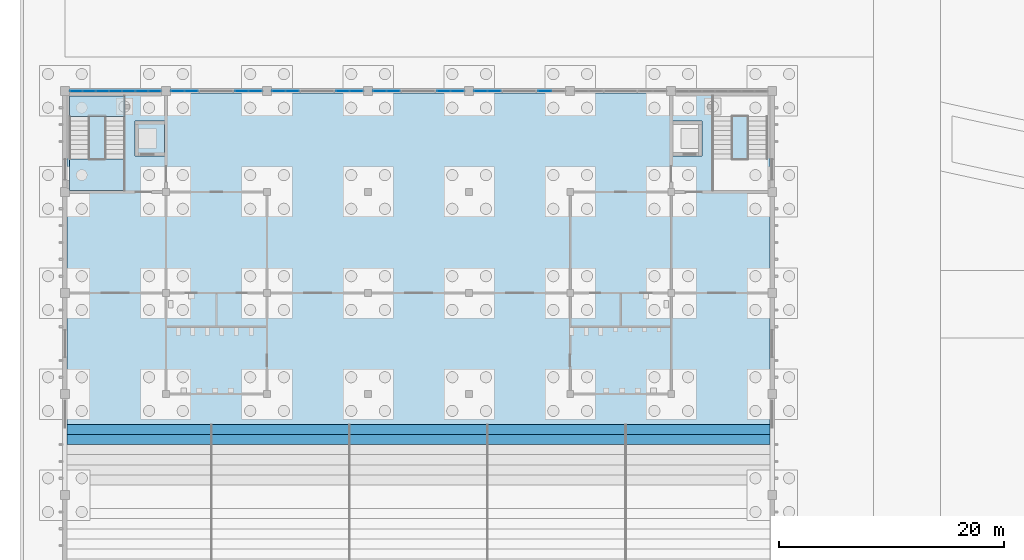
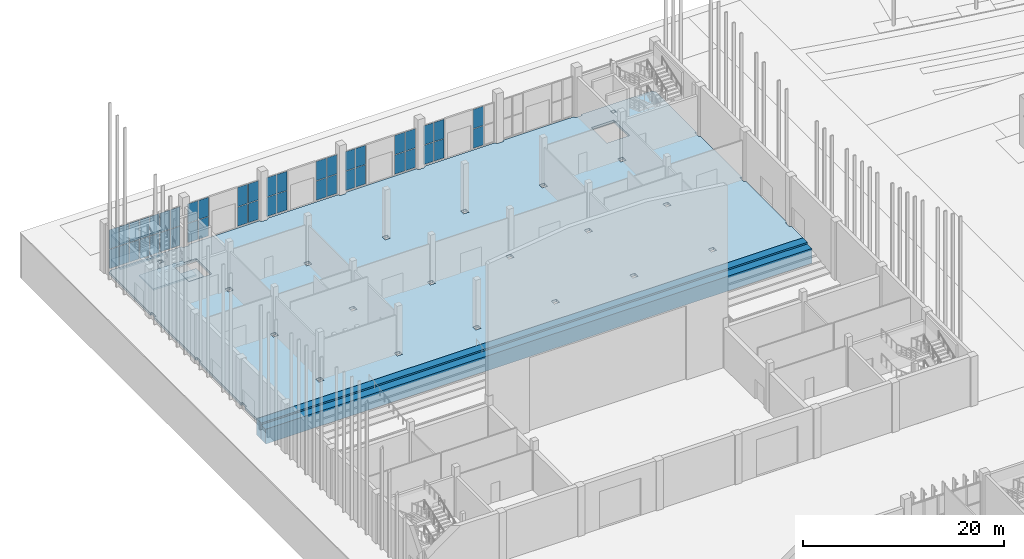
# One storey, part 69 of 198: 44 plates, 7 slabs, 10 elements without a shape of their own.
"""IFC4 building model written with IfcOpenShell, lengths in metres."""

from ifc_helpers import new_model, si_unit, direction, frame, origin, origin_2d, place, context, subcontext, project, spatial, polyline, rectangle, outline, extrude, material, layer, layer_set, type_object, element, aggregate, save


model = new_model("IFC4")

# Units and contexts
model_context = context("Model", 3, precision=1e-05, world=origin(), true_north=direction((0.0, 1.0)))
body_context = subcontext(model_context, "Body", "Model", "MODEL_VIEW")
ifc_project = project(units=[si_unit("LENGTHUNIT", "METRE"), si_unit("AREAUNIT", "SQUARE_METRE"), si_unit("VOLUMEUNIT", "CUBIC_METRE"), si_unit("PLANEANGLEUNIT", "RADIAN"), si_unit("MASSUNIT", "GRAM", prefix="KILO")], contexts=[model_context])

# Site, building, storey
site_placement = place(None, origin())
site = spatial("IfcSite", under=ifc_project, at=site_placement, CompositionType="ELEMENT")
building_placement = place(site_placement, origin())
building = spatial("IfcBuilding", under=site, at=building_placement, Name="Opaline Strait Convention Centre", CompositionType="ELEMENT")
storey_placement = place(building_placement, origin())
storey = spatial("IfcBuildingStorey", under=building, at=storey_placement, Name="L00", CompositionType="ELEMENT", Elevation=0.0)

# Curtain wall, plates
ifc_material_1 = material(Name="Aluminium framed double glazing", Category="aluminium")
ifc_layer_1 = layer(ifc_material_1, 0.199951171875)
ifc_layer_set_1 = layer_set([ifc_layer_1], Name="Aluminium framed double glazing")
curtain_wall_type = type_object("IfcCurtainWallType", Name="Curtain wall 1250", PredefinedType="NOTDEFINED", material=ifc_layer_set_1)
curtain_wall_1_placement = place(storey_placement, origin())
curtain_wall_1 = element("IfcCurtainWall", 1, at=curtain_wall_1_placement, inside=storey, type_object=curtain_wall_type, Name="Curtain wall N-9-L00", PredefinedType="NOTDEFINED")
ifc_material_2 = material(Name="Double glazed unit low emissivity", Category="glass")
ifc_layer_2 = layer(ifc_material_2, 0.028076171875)
ifc_layer_set_2 = layer_set([ifc_layer_2], Name="Double glazed unit low emissivity")
plate_type = type_object("IfcPlateType", Name="Curtain wall glass panel 28", PredefinedType="CURTAIN_PANEL", material=ifc_layer_set_2)
plate_1_placement = place(storey_placement, frame((10.000732421875, 180.0, 0.06005859375), z_axis=(0.0, 0.0, 1.0), x_axis=(1.0, 0.0, 0.0)))
plate_1 = element("IfcPlate", 2, at=plate_1_placement, type_object=plate_type, Name="PCW panel 1.1", PredefinedType="CURTAIN_PANEL", context=body_context, shape_type="SweptSolid", body=[
    extrude(rectangle(XDim=1.08154296875, YDim=0.028076171875, at=origin_2d()), origin(), (0.0, 0.0, 1.0), 2.320068359375),
])
plate_2_placement = place(storey_placement, frame((10.000732421875, 180.0, 2.43994140625), z_axis=(0.0, 0.0, 1.0), x_axis=(1.0, 0.0, 0.0)))
plate_2 = element("IfcPlate", 3, at=plate_2_placement, type_object=plate_type, Name="PCW panel 1.2", PredefinedType="CURTAIN_PANEL", context=body_context, shape_type="SweptSolid", body=[
    extrude(rectangle(XDim=1.08154296875, YDim=0.028076171875, at=origin_2d()), origin(), (0.0, 0.0, 1.0), 2.320068359375),
])
plate_3_placement = place(storey_placement, frame((11.156982421875, 180.0, 0.06005859375), z_axis=(0.0, 0.0, 1.0), x_axis=(1.0, 0.0, 0.0)))
plate_3 = element("IfcPlate", 4, at=plate_3_placement, type_object=plate_type, Name="PCW panel 2.1", PredefinedType="CURTAIN_PANEL", context=body_context, shape_type="SweptSolid", body=[
    extrude(rectangle(XDim=1.111572265625, YDim=0.028076171875, at=origin_2d()), origin(), (0.0, 0.0, 1.0), 2.320068359375),
])
plate_4_placement = place(storey_placement, frame((11.156982421875, 180.0, 2.43994140625), z_axis=(0.0, 0.0, 1.0), x_axis=(1.0, 0.0, 0.0)))
plate_4 = element("IfcPlate", 5, at=plate_4_placement, type_object=plate_type, Name="PCW panel 2.2", PredefinedType="CURTAIN_PANEL", context=body_context, shape_type="SweptSolid", body=[
    extrude(rectangle(XDim=1.111572265625, YDim=0.028076171875, at=origin_2d()), origin(), (0.0, 0.0, 1.0), 2.320068359375),
])
plate_5_placement = place(storey_placement, frame((12.32861328125, 180.0, 0.06005859375), z_axis=(0.0, 0.0, 1.0), x_axis=(1.0, 0.0, 0.0)))
plate_5 = element("IfcPlate", 6, at=plate_5_placement, type_object=plate_type, Name="PCW panel 3.1", PredefinedType="CURTAIN_PANEL", context=body_context, shape_type="SweptSolid", body=[
    extrude(rectangle(XDim=1.111572265625, YDim=0.028076171875, at=origin_2d()), origin(), (0.0, 0.0, 1.0), 2.320068359375),
])
plate_6_placement = place(storey_placement, frame((12.32861328125, 180.0, 2.43994140625), z_axis=(0.0, 0.0, 1.0), x_axis=(1.0, 0.0, 0.0)))
plate_6 = element("IfcPlate", 7, at=plate_6_placement, type_object=plate_type, Name="PCW panel 3.2", PredefinedType="CURTAIN_PANEL", context=body_context, shape_type="SweptSolid", body=[
    extrude(rectangle(XDim=1.111572265625, YDim=0.028076171875, at=origin_2d()), origin(), (0.0, 0.0, 1.0), 2.320068359375),
])
plate_7_placement = place(storey_placement, frame((13.5, 180.0, 0.06005859375), z_axis=(0.0, 0.0, 1.0), x_axis=(1.0, 0.0, 0.0)))
plate_7 = element("IfcPlate", 8, at=plate_7_placement, type_object=plate_type, Name="PCW panel 4.1", PredefinedType="CURTAIN_PANEL", context=body_context, shape_type="SweptSolid", body=[
    extrude(rectangle(XDim=1.111572265625, YDim=0.028076171875, at=origin_2d()), origin(), (0.0, 0.0, 1.0), 2.320068359375),
])
plate_8_placement = place(storey_placement, frame((13.5, 180.0, 2.43994140625), z_axis=(0.0, 0.0, 1.0), x_axis=(1.0, 0.0, 0.0)))
plate_8 = element("IfcPlate", 9, at=plate_8_placement, type_object=plate_type, Name="PCW panel 4.2", PredefinedType="CURTAIN_PANEL", context=body_context, shape_type="SweptSolid", body=[
    extrude(rectangle(XDim=1.111572265625, YDim=0.028076171875, at=origin_2d()), origin(), (0.0, 0.0, 1.0), 2.320068359375),
])
plate_9_placement = place(storey_placement, frame((14.67138671875, 180.0, 0.06005859375), z_axis=(0.0, 0.0, 1.0), x_axis=(1.0, 0.0, 0.0)))
plate_9 = element("IfcPlate", 10, at=plate_9_placement, type_object=plate_type, Name="PCW panel 5.1", PredefinedType="CURTAIN_PANEL", context=body_context, shape_type="SweptSolid", body=[
    extrude(rectangle(XDim=1.111572265625, YDim=0.028076171875, at=origin_2d()), origin(), (0.0, 0.0, 1.0), 2.320068359375),
])
plate_10_placement = place(storey_placement, frame((14.67138671875, 180.0, 2.43994140625), z_axis=(0.0, 0.0, 1.0), x_axis=(1.0, 0.0, 0.0)))
plate_10 = element("IfcPlate", 11, at=plate_10_placement, type_object=plate_type, Name="PCW panel 5.2", PredefinedType="CURTAIN_PANEL", context=body_context, shape_type="SweptSolid", body=[
    extrude(rectangle(XDim=1.111572265625, YDim=0.028076171875, at=origin_2d()), origin(), (0.0, 0.0, 1.0), 2.320068359375),
])
plate_11_placement = place(storey_placement, frame((15.843017578125, 180.0, 0.06005859375), z_axis=(0.0, 0.0, 1.0), x_axis=(1.0, 0.0, 0.0)))
plate_11 = element("IfcPlate", 12, at=plate_11_placement, type_object=plate_type, Name="PCW panel 6.1", PredefinedType="CURTAIN_PANEL", context=body_context, shape_type="SweptSolid", body=[
    extrude(rectangle(XDim=1.111572265625, YDim=0.028076171875, at=origin_2d()), origin(), (0.0, 0.0, 1.0), 2.320068359375),
])
plate_12_placement = place(storey_placement, frame((15.843017578125, 180.0, 2.43994140625), z_axis=(0.0, 0.0, 1.0), x_axis=(1.0, 0.0, 0.0)))
plate_12 = element("IfcPlate", 13, at=plate_12_placement, type_object=plate_type, Name="PCW panel 6.2", PredefinedType="CURTAIN_PANEL", context=body_context, shape_type="SweptSolid", body=[
    extrude(rectangle(XDim=1.111572265625, YDim=0.028076171875, at=origin_2d()), origin(), (0.0, 0.0, 1.0), 2.320068359375),
])
plate_13_placement = place(storey_placement, frame((16.999267578125, 180.0, 0.06005859375), z_axis=(0.0, 0.0, 1.0), x_axis=(1.0, 0.0, 0.0)))
plate_13 = element("IfcPlate", 14, at=plate_13_placement, type_object=plate_type, Name="PCW panel 7.1", PredefinedType="CURTAIN_PANEL", context=body_context, shape_type="SweptSolid", body=[
    extrude(rectangle(XDim=1.08154296875, YDim=0.028076171875, at=origin_2d()), origin(), (0.0, 0.0, 1.0), 2.320068359375),
])
plate_14_placement = place(storey_placement, frame((16.999267578125, 180.0, 2.43994140625), z_axis=(0.0, 0.0, 1.0), x_axis=(1.0, 0.0, 0.0)))
plate_14 = element("IfcPlate", 15, at=plate_14_placement, type_object=plate_type, Name="PCW panel 7.2", PredefinedType="CURTAIN_PANEL", context=body_context, shape_type="SweptSolid", body=[
    extrude(rectangle(XDim=1.08154296875, YDim=0.028076171875, at=origin_2d()), origin(), (0.0, 0.0, 1.0), 2.320068359375),
])
aggregate(curtain_wall_1, [plate_1, plate_2, plate_3, plate_4, plate_5, plate_6, plate_7, plate_8, plate_9, plate_10, plate_11, plate_12, plate_13, plate_14])

curtain_wall_2_placement = place(storey_placement, origin())
curtain_wall_2 = element("IfcCurtainWall", 16, at=curtain_wall_2_placement, inside=storey, type_object=curtain_wall_type, Name="Curtain wall N-18a-L00", PredefinedType="NOTDEFINED")
plate_15_placement = place(storey_placement, frame((19.039794921875, 180.0, 0.06005859375), z_axis=(0.0, 0.0, 1.0), x_axis=(1.0, 0.0, 0.0)))
plate_15 = element("IfcPlate", 17, at=plate_15_placement, type_object=plate_type, Name="PCW panel 1.1", PredefinedType="CURTAIN_PANEL", context=body_context, shape_type="SweptSolid", body=[
    extrude(rectangle(XDim=1.159912109375, YDim=0.028076171875, at=origin_2d()), origin(), (0.0, 0.0, 1.0), 2.320068359375),
])
plate_16_placement = place(storey_placement, frame((19.039794921875, 180.0, 2.43994140625), z_axis=(0.0, 0.0, 1.0), x_axis=(1.0, 0.0, 0.0)))
plate_16 = element("IfcPlate", 18, at=plate_16_placement, type_object=plate_type, Name="PCW panel 1.2", PredefinedType="CURTAIN_PANEL", context=body_context, shape_type="SweptSolid", body=[
    extrude(rectangle(XDim=1.159912109375, YDim=0.028076171875, at=origin_2d()), origin(), (0.0, 0.0, 1.0), 2.320068359375),
])
plate_17_placement = place(storey_placement, frame((20.260009765625, 180.0, 0.06005859375), z_axis=(0.0, 0.0, 1.0), x_axis=(1.0, 0.0, 0.0)))
plate_17 = element("IfcPlate", 19, at=plate_17_placement, type_object=plate_type, Name="PCW panel 2.1", PredefinedType="CURTAIN_PANEL", context=body_context, shape_type="SweptSolid", body=[
    extrude(rectangle(XDim=1.159912109375, YDim=0.028076171875, at=origin_2d()), origin(), (0.0, 0.0, 1.0), 2.320068359375),
])
plate_18_placement = place(storey_placement, frame((20.260009765625, 180.0, 2.43994140625), z_axis=(0.0, 0.0, 1.0), x_axis=(1.0, 0.0, 0.0)))
plate_18 = element("IfcPlate", 20, at=plate_18_placement, type_object=plate_type, Name="PCW panel 2.2", PredefinedType="CURTAIN_PANEL", context=body_context, shape_type="SweptSolid", body=[
    extrude(rectangle(XDim=1.159912109375, YDim=0.028076171875, at=origin_2d()), origin(), (0.0, 0.0, 1.0), 2.320068359375),
])
aggregate(curtain_wall_2, [plate_15, plate_16, plate_17, plate_18])

curtain_wall_3_placement = place(storey_placement, origin())
curtain_wall_3 = element("IfcCurtainWall", 21, at=curtain_wall_3_placement, inside=storey, type_object=curtain_wall_type, Name="Curtain wall N-18b-L00", PredefinedType="NOTDEFINED")
plate_19_placement = place(storey_placement, frame((24.739990234375, 180.0, 0.06005859375), z_axis=(0.0, 0.0, 1.0), x_axis=(1.0, 0.0, 0.0)))
plate_19 = element("IfcPlate", 22, at=plate_19_placement, type_object=plate_type, Name="PCW panel 1.1", PredefinedType="CURTAIN_PANEL", context=body_context, shape_type="SweptSolid", body=[
    extrude(rectangle(XDim=1.159912109375, YDim=0.028076171875, at=origin_2d()), origin(), (0.0, 0.0, 1.0), 2.320068359375),
])
plate_20_placement = place(storey_placement, frame((24.739990234375, 180.0, 2.43994140625), z_axis=(0.0, 0.0, 1.0), x_axis=(1.0, 0.0, 0.0)))
plate_20 = element("IfcPlate", 23, at=plate_20_placement, type_object=plate_type, Name="PCW panel 1.2", PredefinedType="CURTAIN_PANEL", context=body_context, shape_type="SweptSolid", body=[
    extrude(rectangle(XDim=1.159912109375, YDim=0.028076171875, at=origin_2d()), origin(), (0.0, 0.0, 1.0), 2.320068359375),
])
plate_21_placement = place(storey_placement, frame((25.960205078125, 180.0, 0.06005859375), z_axis=(0.0, 0.0, 1.0), x_axis=(1.0, 0.0, 0.0)))
plate_21 = element("IfcPlate", 24, at=plate_21_placement, type_object=plate_type, Name="PCW panel 2.1", PredefinedType="CURTAIN_PANEL", context=body_context, shape_type="SweptSolid", body=[
    extrude(rectangle(XDim=1.159912109375, YDim=0.028076171875, at=origin_2d()), origin(), (0.0, 0.0, 1.0), 2.320068359375),
])
plate_22_placement = place(storey_placement, frame((25.960205078125, 180.0, 2.43994140625), z_axis=(0.0, 0.0, 1.0), x_axis=(1.0, 0.0, 0.0)))
plate_22 = element("IfcPlate", 25, at=plate_22_placement, type_object=plate_type, Name="PCW panel 2.2", PredefinedType="CURTAIN_PANEL", context=body_context, shape_type="SweptSolid", body=[
    extrude(rectangle(XDim=1.159912109375, YDim=0.028076171875, at=origin_2d()), origin(), (0.0, 0.0, 1.0), 2.320068359375),
])
aggregate(curtain_wall_3, [plate_19, plate_20, plate_21, plate_22])

curtain_wall_4_placement = place(storey_placement, origin())
curtain_wall_4 = element("IfcCurtainWall", 26, at=curtain_wall_4_placement, inside=storey, type_object=curtain_wall_type, Name="Curtain wall N-27a-L00", PredefinedType="NOTDEFINED")
plate_23_placement = place(storey_placement, frame((28.039794921875, 180.0, 0.06005859375), z_axis=(0.0, 0.0, 1.0), x_axis=(1.0, 0.0, 0.0)))
plate_23 = element("IfcPlate", 27, at=plate_23_placement, type_object=plate_type, Name="PCW panel 1.1", PredefinedType="CURTAIN_PANEL", context=body_context, shape_type="SweptSolid", body=[
    extrude(rectangle(XDim=1.159912109375, YDim=0.028076171875, at=origin_2d()), origin(), (0.0, 0.0, 1.0), 2.320068359375),
])
plate_24_placement = place(storey_placement, frame((28.039794921875, 180.0, 2.43994140625), z_axis=(0.0, 0.0, 1.0), x_axis=(1.0, 0.0, 0.0)))
plate_24 = element("IfcPlate", 28, at=plate_24_placement, type_object=plate_type, Name="PCW panel 1.2", PredefinedType="CURTAIN_PANEL", context=body_context, shape_type="SweptSolid", body=[
    extrude(rectangle(XDim=1.159912109375, YDim=0.028076171875, at=origin_2d()), origin(), (0.0, 0.0, 1.0), 2.320068359375),
])
plate_25_placement = place(storey_placement, frame((29.260009765625, 180.0, 0.06005859375), z_axis=(0.0, 0.0, 1.0), x_axis=(1.0, 0.0, 0.0)))
plate_25 = element("IfcPlate", 29, at=plate_25_placement, type_object=plate_type, Name="PCW panel 2.1", PredefinedType="CURTAIN_PANEL", context=body_context, shape_type="SweptSolid", body=[
    extrude(rectangle(XDim=1.159912109375, YDim=0.028076171875, at=origin_2d()), origin(), (0.0, 0.0, 1.0), 2.320068359375),
])
plate_26_placement = place(storey_placement, frame((29.260009765625, 180.0, 2.43994140625), z_axis=(0.0, 0.0, 1.0), x_axis=(1.0, 0.0, 0.0)))
plate_26 = element("IfcPlate", 30, at=plate_26_placement, type_object=plate_type, Name="PCW panel 2.2", PredefinedType="CURTAIN_PANEL", context=body_context, shape_type="SweptSolid", body=[
    extrude(rectangle(XDim=1.159912109375, YDim=0.028076171875, at=origin_2d()), origin(), (0.0, 0.0, 1.0), 2.320068359375),
])
aggregate(curtain_wall_4, [plate_23, plate_24, plate_25, plate_26])

curtain_wall_5_placement = place(storey_placement, origin())
curtain_wall_5 = element("IfcCurtainWall", 31, at=curtain_wall_5_placement, inside=storey, type_object=curtain_wall_type, Name="Curtain wall N-27b-L00", PredefinedType="NOTDEFINED")
plate_27_placement = place(storey_placement, frame((33.739990234375, 180.0, 0.06005859375), z_axis=(0.0, 0.0, 1.0), x_axis=(1.0, 0.0, 0.0)))
plate_27 = element("IfcPlate", 32, at=plate_27_placement, type_object=plate_type, Name="PCW panel 1.1", PredefinedType="CURTAIN_PANEL", context=body_context, shape_type="SweptSolid", body=[
    extrude(rectangle(XDim=1.159912109375, YDim=0.028076171875, at=origin_2d()), origin(), (0.0, 0.0, 1.0), 2.320068359375),
])
plate_28_placement = place(storey_placement, frame((33.739990234375, 180.0, 2.43994140625), z_axis=(0.0, 0.0, 1.0), x_axis=(1.0, 0.0, 0.0)))
plate_28 = element("IfcPlate", 33, at=plate_28_placement, type_object=plate_type, Name="PCW panel 1.2", PredefinedType="CURTAIN_PANEL", context=body_context, shape_type="SweptSolid", body=[
    extrude(rectangle(XDim=1.159912109375, YDim=0.028076171875, at=origin_2d()), origin(), (0.0, 0.0, 1.0), 2.320068359375),
])
plate_29_placement = place(storey_placement, frame((34.960205078125, 180.0, 0.06005859375), z_axis=(0.0, 0.0, 1.0), x_axis=(1.0, 0.0, 0.0)))
plate_29 = element("IfcPlate", 34, at=plate_29_placement, type_object=plate_type, Name="PCW panel 2.1", PredefinedType="CURTAIN_PANEL", context=body_context, shape_type="SweptSolid", body=[
    extrude(rectangle(XDim=1.159912109375, YDim=0.028076171875, at=origin_2d()), origin(), (0.0, 0.0, 1.0), 2.320068359375),
])
plate_30_placement = place(storey_placement, frame((34.960205078125, 180.0, 2.43994140625), z_axis=(0.0, 0.0, 1.0), x_axis=(1.0, 0.0, 0.0)))
plate_30 = element("IfcPlate", 35, at=plate_30_placement, type_object=plate_type, Name="PCW panel 2.2", PredefinedType="CURTAIN_PANEL", context=body_context, shape_type="SweptSolid", body=[
    extrude(rectangle(XDim=1.159912109375, YDim=0.028076171875, at=origin_2d()), origin(), (0.0, 0.0, 1.0), 2.320068359375),
])
aggregate(curtain_wall_5, [plate_27, plate_28, plate_29, plate_30])

curtain_wall_6_placement = place(storey_placement, origin())
curtain_wall_6 = element("IfcCurtainWall", 36, at=curtain_wall_6_placement, inside=storey, type_object=curtain_wall_type, Name="Curtain wall N-36a-L00", PredefinedType="NOTDEFINED")
plate_31_placement = place(storey_placement, frame((37.039794921875, 180.0, 0.06005859375), z_axis=(0.0, 0.0, 1.0), x_axis=(1.0, 0.0, 0.0)))
plate_31 = element("IfcPlate", 37, at=plate_31_placement, type_object=plate_type, Name="PCW panel 1.1", PredefinedType="CURTAIN_PANEL", context=body_context, shape_type="SweptSolid", body=[
    extrude(rectangle(XDim=1.159912109375, YDim=0.028076171875, at=origin_2d()), origin(), (0.0, 0.0, 1.0), 2.320068359375),
])
plate_32_placement = place(storey_placement, frame((37.039794921875, 180.0, 2.43994140625), z_axis=(0.0, 0.0, 1.0), x_axis=(1.0, 0.0, 0.0)))
plate_32 = element("IfcPlate", 38, at=plate_32_placement, type_object=plate_type, Name="PCW panel 1.2", PredefinedType="CURTAIN_PANEL", context=body_context, shape_type="SweptSolid", body=[
    extrude(rectangle(XDim=1.159912109375, YDim=0.028076171875, at=origin_2d()), origin(), (0.0, 0.0, 1.0), 2.320068359375),
])
plate_33_placement = place(storey_placement, frame((38.260009765625, 180.0, 0.06005859375), z_axis=(0.0, 0.0, 1.0), x_axis=(1.0, 0.0, 0.0)))
plate_33 = element("IfcPlate", 39, at=plate_33_placement, type_object=plate_type, Name="PCW panel 2.1", PredefinedType="CURTAIN_PANEL", context=body_context, shape_type="SweptSolid", body=[
    extrude(rectangle(XDim=1.159912109375, YDim=0.028076171875, at=origin_2d()), origin(), (0.0, 0.0, 1.0), 2.320068359375),
])
plate_34_placement = place(storey_placement, frame((38.260009765625, 180.0, 2.43994140625), z_axis=(0.0, 0.0, 1.0), x_axis=(1.0, 0.0, 0.0)))
plate_34 = element("IfcPlate", 40, at=plate_34_placement, type_object=plate_type, Name="PCW panel 2.2", PredefinedType="CURTAIN_PANEL", context=body_context, shape_type="SweptSolid", body=[
    extrude(rectangle(XDim=1.159912109375, YDim=0.028076171875, at=origin_2d()), origin(), (0.0, 0.0, 1.0), 2.320068359375),
])
aggregate(curtain_wall_6, [plate_31, plate_32, plate_33, plate_34])

curtain_wall_7_placement = place(storey_placement, origin())
curtain_wall_7 = element("IfcCurtainWall", 41, at=curtain_wall_7_placement, inside=storey, type_object=curtain_wall_type, Name="Curtain wall N-36b-L00", PredefinedType="NOTDEFINED")
plate_35_placement = place(storey_placement, frame((42.739990234375, 180.0, 0.06005859375), z_axis=(0.0, 0.0, 1.0), x_axis=(1.0, 0.0, 0.0)))
plate_35 = element("IfcPlate", 42, at=plate_35_placement, type_object=plate_type, Name="PCW panel 1.1", PredefinedType="CURTAIN_PANEL", context=body_context, shape_type="SweptSolid", body=[
    extrude(rectangle(XDim=1.159912109375, YDim=0.028076171875, at=origin_2d()), origin(), (0.0, 0.0, 1.0), 2.320068359375),
])
plate_36_placement = place(storey_placement, frame((42.739990234375, 180.0, 2.43994140625), z_axis=(0.0, 0.0, 1.0), x_axis=(1.0, 0.0, 0.0)))
plate_36 = element("IfcPlate", 43, at=plate_36_placement, type_object=plate_type, Name="PCW panel 1.2", PredefinedType="CURTAIN_PANEL", context=body_context, shape_type="SweptSolid", body=[
    extrude(rectangle(XDim=1.159912109375, YDim=0.028076171875, at=origin_2d()), origin(), (0.0, 0.0, 1.0), 2.320068359375),
])
plate_37_placement = place(storey_placement, frame((43.960205078125, 180.0, 0.06005859375), z_axis=(0.0, 0.0, 1.0), x_axis=(1.0, 0.0, 0.0)))
plate_37 = element("IfcPlate", 44, at=plate_37_placement, type_object=plate_type, Name="PCW panel 2.1", PredefinedType="CURTAIN_PANEL", context=body_context, shape_type="SweptSolid", body=[
    extrude(rectangle(XDim=1.159912109375, YDim=0.028076171875, at=origin_2d()), origin(), (0.0, 0.0, 1.0), 2.320068359375),
])
plate_38_placement = place(storey_placement, frame((43.960205078125, 180.0, 2.43994140625), z_axis=(0.0, 0.0, 1.0), x_axis=(1.0, 0.0, 0.0)))
plate_38 = element("IfcPlate", 45, at=plate_38_placement, type_object=plate_type, Name="PCW panel 2.2", PredefinedType="CURTAIN_PANEL", context=body_context, shape_type="SweptSolid", body=[
    extrude(rectangle(XDim=1.159912109375, YDim=0.028076171875, at=origin_2d()), origin(), (0.0, 0.0, 1.0), 2.320068359375),
])
aggregate(curtain_wall_7, [plate_35, plate_36, plate_37, plate_38])

curtain_wall_8_placement = place(storey_placement, origin())
curtain_wall_8 = element("IfcCurtainWall", 46, at=curtain_wall_8_placement, inside=storey, type_object=curtain_wall_type, Name="Curtain wall N-45a-L00", PredefinedType="NOTDEFINED")
plate_39_placement = place(storey_placement, frame((46.039794921875, 180.0, 0.06005859375), z_axis=(0.0, 0.0, 1.0), x_axis=(1.0, 0.0, 0.0)))
plate_39 = element("IfcPlate", 47, at=plate_39_placement, type_object=plate_type, Name="PCW panel 1.1", PredefinedType="CURTAIN_PANEL", context=body_context, shape_type="SweptSolid", body=[
    extrude(rectangle(XDim=1.159912109375, YDim=0.028076171875, at=origin_2d()), origin(), (0.0, 0.0, 1.0), 2.320068359375),
])
plate_40_placement = place(storey_placement, frame((46.039794921875, 180.0, 2.43994140625), z_axis=(0.0, 0.0, 1.0), x_axis=(1.0, 0.0, 0.0)))
plate_40 = element("IfcPlate", 48, at=plate_40_placement, type_object=plate_type, Name="PCW panel 1.2", PredefinedType="CURTAIN_PANEL", context=body_context, shape_type="SweptSolid", body=[
    extrude(rectangle(XDim=1.159912109375, YDim=0.028076171875, at=origin_2d()), origin(), (0.0, 0.0, 1.0), 2.320068359375),
])
plate_41_placement = place(storey_placement, frame((47.260009765625, 180.0, 0.06005859375), z_axis=(0.0, 0.0, 1.0), x_axis=(1.0, 0.0, 0.0)))
plate_41 = element("IfcPlate", 49, at=plate_41_placement, type_object=plate_type, Name="PCW panel 2.1", PredefinedType="CURTAIN_PANEL", context=body_context, shape_type="SweptSolid", body=[
    extrude(rectangle(XDim=1.159912109375, YDim=0.028076171875, at=origin_2d()), origin(), (0.0, 0.0, 1.0), 2.320068359375),
])
plate_42_placement = place(storey_placement, frame((47.260009765625, 180.0, 2.43994140625), z_axis=(0.0, 0.0, 1.0), x_axis=(1.0, 0.0, 0.0)))
plate_42 = element("IfcPlate", 50, at=plate_42_placement, type_object=plate_type, Name="PCW panel 2.2", PredefinedType="CURTAIN_PANEL", context=body_context, shape_type="SweptSolid", body=[
    extrude(rectangle(XDim=1.159912109375, YDim=0.028076171875, at=origin_2d()), origin(), (0.0, 0.0, 1.0), 2.320068359375),
])
aggregate(curtain_wall_8, [plate_39, plate_40, plate_41, plate_42])

curtain_wall_9_placement = place(storey_placement, origin())
curtain_wall_9 = element("IfcCurtainWall", 51, at=curtain_wall_9_placement, inside=storey, type_object=curtain_wall_type, Name="Curtain wall N-45b-L00", PredefinedType="NOTDEFINED")
plate_43_placement = place(storey_placement, frame((51.739990234375, 180.0, 0.06005859375), z_axis=(0.0, 0.0, 1.0), x_axis=(1.0, 0.0, 0.0)))
plate_43 = element("IfcPlate", 52, at=plate_43_placement, type_object=plate_type, Name="PCW panel 1.1", PredefinedType="CURTAIN_PANEL", context=body_context, shape_type="SweptSolid", body=[
    extrude(rectangle(XDim=1.159912109375, YDim=0.028076171875, at=origin_2d()), origin(), (0.0, 0.0, 1.0), 2.320068359375),
])
plate_44_placement = place(storey_placement, frame((51.739990234375, 180.0, 2.43994140625), z_axis=(0.0, 0.0, 1.0), x_axis=(1.0, 0.0, 0.0)))
plate_44 = element("IfcPlate", 53, at=plate_44_placement, type_object=plate_type, Name="PCW panel 1.2", PredefinedType="CURTAIN_PANEL", context=body_context, shape_type="SweptSolid", body=[
    extrude(rectangle(XDim=1.159912109375, YDim=0.028076171875, at=origin_2d()), origin(), (0.0, 0.0, 1.0), 2.320068359375),
])
aggregate(curtain_wall_9, [plate_43, plate_44])

# Slabs
ifc_material_3 = material(Name="Concrete C30", Category="concrete")
ifc_layer_3 = layer(ifc_material_3, 0.300048828125)
ifc_layer_set_3 = layer_set([ifc_layer_3], Name="Concrete C30")
slab_type_1 = type_object("IfcSlabType", Name="Ground slab 300 C30", PredefinedType="BASESLAB", material=ifc_layer_set_3)
slab_1_placement = place(storey_placement, frame((0.0, 0.0, -0.300048828125)))
element("IfcSlab", 54, at=slab_1_placement, inside=storey, type_object=slab_type_1, Name="XS1 ground slab 2", PredefinedType="BASESLAB", context=body_context, shape_type="SweptSolid", body=[
    extrude(outline(polyline([(9.199951171875, 150.300048828125), (9.199951171875, 152.60009765625), (9.39990234375, 152.60009765625), (9.39990234375, 153.39990234375), (9.199951171875, 153.39990234375), (9.199951171875, 161.60009765625), (9.39990234375, 161.60009765625), (9.39990234375, 162.39990234375), (9.199951171875, 162.39990234375), (9.199951171875, 170.60009765625), (9.39990234375, 170.60009765625), (9.39990234375, 171.39990234375), (9.199951171875, 171.39990234375), (9.199951171875, 179.60009765625), (9.39990234375, 179.60009765625), (9.39990234375, 179.800048828125), (17.60009765625, 179.800048828125), (17.60009765625, 179.60009765625), (18.39990234375, 179.60009765625), (18.39990234375, 179.800048828125), (26.60009765625, 179.800048828125), (26.60009765625, 179.60009765625), (27.39990234375, 179.60009765625), (27.39990234375, 179.800048828125), (35.60009765625, 179.800048828125), (35.60009765625, 179.60009765625), (36.39990234375, 179.60009765625), (36.39990234375, 179.800048828125), (44.60009765625, 179.800048828125), (44.60009765625, 179.60009765625), (45.39990234375, 179.60009765625), (45.39990234375, 179.800048828125), (53.60009765625, 179.800048828125), (53.60009765625, 179.60009765625), (54.39990234375, 179.60009765625), (54.39990234375, 179.800048828125), (62.60009765625, 179.800048828125), (62.60009765625, 179.60009765625), (63.39990234375, 179.60009765625), (63.39990234375, 179.800048828125), (71.60009765625, 179.800048828125), (71.60009765625, 179.60009765625), (71.800048828125, 179.60009765625), (71.800048828125, 171.39990234375), (71.60009765625, 171.39990234375), (71.60009765625, 170.60009765625), (71.800048828125, 170.60009765625), (71.800048828125, 162.39990234375), (71.60009765625, 162.39990234375), (71.60009765625, 161.60009765625), (71.800048828125, 161.60009765625), (71.800048828125, 153.39990234375), (71.60009765625, 153.39990234375), (71.60009765625, 152.60009765625), (71.800048828125, 152.60009765625), (71.800048828125, 150.300048828125), (9.199951171875, 150.300048828125)]), holes=[polyline([(15.25, 174.199951171875), (17.85009765625, 174.199951171875), (17.85009765625, 177.300048828125), (15.25, 177.300048828125), (15.25, 174.199951171875)]), polyline([(63.14990234375, 177.300048828125), (63.14990234375, 174.199951171875), (65.75, 174.199951171875), (65.75, 177.300048828125), (63.14990234375, 177.300048828125)]), polyline([(26.699951171875, 152.699951171875), (27.300048828125, 152.699951171875), (27.300048828125, 153.300048828125), (26.699951171875, 153.300048828125), (26.699951171875, 152.699951171875)]), polyline([(17.699951171875, 152.699951171875), (18.300048828125, 152.699951171875), (18.300048828125, 153.300048828125), (17.699951171875, 153.300048828125), (17.699951171875, 152.699951171875)]), polyline([(26.699951171875, 161.699951171875), (27.300048828125, 161.699951171875), (27.300048828125, 162.300048828125), (26.699951171875, 162.300048828125), (26.699951171875, 161.699951171875)]), polyline([(17.699951171875, 161.699951171875), (18.300048828125, 161.699951171875), (18.300048828125, 162.300048828125), (17.699951171875, 162.300048828125), (17.699951171875, 161.699951171875)]), polyline([(17.699951171875, 170.699951171875), (18.300048828125, 170.699951171875), (18.300048828125, 171.300048828125), (17.699951171875, 171.300048828125), (17.699951171875, 170.699951171875)]), polyline([(14.300048828125, 178.39990234375), (14.800048828125, 178.39990234375), (14.800048828125, 178.800048828125), (14.300048828125, 178.800048828125), (14.300048828125, 178.39990234375)]), polyline([(35.699951171875, 152.699951171875), (36.300048828125, 152.699951171875), (36.300048828125, 153.300048828125), (35.699951171875, 153.300048828125), (35.699951171875, 152.699951171875)]), polyline([(44.699951171875, 152.699951171875), (45.300048828125, 152.699951171875), (45.300048828125, 153.300048828125), (44.699951171875, 153.300048828125), (44.699951171875, 152.699951171875)]), polyline([(54.300048828125, 152.699951171875), (54.300048828125, 153.300048828125), (53.699951171875, 153.300048828125), (53.699951171875, 152.699951171875), (54.300048828125, 152.699951171875)]), polyline([(35.699951171875, 161.699951171875), (36.300048828125, 161.699951171875), (36.300048828125, 162.300048828125), (35.699951171875, 162.300048828125), (35.699951171875, 161.699951171875)]), polyline([(44.699951171875, 161.699951171875), (45.300048828125, 161.699951171875), (45.300048828125, 162.300048828125), (44.699951171875, 162.300048828125), (44.699951171875, 161.699951171875)]), polyline([(53.699951171875, 161.699951171875), (54.300048828125, 161.699951171875), (54.300048828125, 162.300048828125), (53.699951171875, 162.300048828125), (53.699951171875, 161.699951171875)]), polyline([(44.699951171875, 170.699951171875), (45.300048828125, 170.699951171875), (45.300048828125, 171.300048828125), (44.699951171875, 171.300048828125), (44.699951171875, 170.699951171875)]), polyline([(35.699951171875, 170.699951171875), (36.300048828125, 170.699951171875), (36.300048828125, 171.300048828125), (35.699951171875, 171.300048828125), (35.699951171875, 170.699951171875)]), polyline([(26.699951171875, 170.699951171875), (27.300048828125, 170.699951171875), (27.300048828125, 171.300048828125), (26.699951171875, 171.300048828125), (26.699951171875, 170.699951171875)]), polyline([(62.699951171875, 152.699951171875), (63.300048828125, 152.699951171875), (63.300048828125, 153.300048828125), (62.699951171875, 153.300048828125), (62.699951171875, 152.699951171875)]), polyline([(62.699951171875, 161.699951171875), (63.300048828125, 161.699951171875), (63.300048828125, 162.300048828125), (62.699951171875, 162.300048828125), (62.699951171875, 161.699951171875)]), polyline([(62.699951171875, 170.699951171875), (63.300048828125, 170.699951171875), (63.300048828125, 171.300048828125), (62.699951171875, 171.300048828125), (62.699951171875, 170.699951171875)]), polyline([(53.699951171875, 170.699951171875), (54.300048828125, 170.699951171875), (54.300048828125, 171.300048828125), (53.699951171875, 171.300048828125), (53.699951171875, 170.699951171875)]), polyline([(66.199951171875, 178.39990234375), (66.699951171875, 178.39990234375), (66.699951171875, 178.800048828125), (66.199951171875, 178.800048828125), (66.199951171875, 178.39990234375)])]), origin(), (0.0, 0.0, 1.0), 0.300048828125),
])
ifc_material_4 = material(Name="Concrete C35", Category="concrete")
ifc_layer_4 = layer(ifc_material_4, 0.300048828125)
ifc_layer_set_4 = layer_set([ifc_layer_4], Name="Concrete C35")
slab_type_2 = type_object("IfcSlabType", Name="Lift pit slab 300", PredefinedType="BASESLAB", material=ifc_layer_set_4)
slab_2_placement = place(storey_placement, frame((0.0, 0.0, -1.5)))
element("IfcSlab", 55, at=slab_2_placement, inside=storey, type_object=slab_type_2, Name="PFS9 NW lift pit slab", PredefinedType="BASESLAB", context=body_context, shape_type="SweptSolid", body=[
    extrude(outline(polyline([(15.25, 174.199951171875), (17.85009765625, 174.199951171875), (17.85009765625, 177.300048828125), (15.25, 177.300048828125), (15.25, 174.199951171875)])), origin(), (0.0, 0.0, 1.0), 0.300048828125),
])
ifc_layer_5 = layer(ifc_material_4, 0.300048828125)
ifc_layer_set_5 = layer_set([ifc_layer_5], Name="Concrete C35")
slab_type_3 = type_object("IfcSlabType", Name="Seating tier 300 C35", PredefinedType="USERDEFINED", material=ifc_layer_set_5)
slab_3_placement = place(storey_placement, frame((0.0, 0.0, -2.0)))
element("IfcSlab", 56, at=slab_3_placement, inside=storey, type_object=slab_type_3, Name="PT1 Stalls row 13", ObjectType="SEATING TIER", PredefinedType="USERDEFINED", context=body_context, shape_type="SweptSolid", body=[
    extrude(outline(polyline([(9.199951171875, 148.5), (9.199951171875, 149.39990234375), (71.800048828125, 149.39990234375), (71.800048828125, 148.5), (9.199951171875, 148.5)])), origin(), (0.0, 0.0, 1.0), 1.797119140625),
])
slab_4_placement = place(storey_placement, frame((0.0, 0.0, -2.0)))
element("IfcSlab", 57, at=slab_4_placement, inside=storey, type_object=slab_type_3, Name="PT1 Stalls row 14", ObjectType="SEATING TIER", PredefinedType="USERDEFINED", context=body_context, shape_type="SweptSolid", body=[
    extrude(outline(polyline([(9.199951171875, 149.39990234375), (9.199951171875, 150.300048828125), (71.800048828125, 150.300048828125), (71.800048828125, 149.39990234375), (9.199951171875, 149.39990234375)])), origin(), (0.0, 0.0, 1.0), 2.0),
])

# Stair, slabs
ifc_material_5 = material(Name="Concrete C40", Category="concrete")
stair_type = type_object("IfcStairType", Name="Core stair half turn 2400", PredefinedType="HALF_TURN_STAIR", material=ifc_material_5)
stair_placement = place(storey_placement, origin())
stair = element("IfcStair", 58, at=stair_placement, inside=storey, type_object=stair_type, Name="L00 NW core stair", ObjectType="PST2", PredefinedType="HALF_TURN_STAIR")
ifc_layer_6 = layer(ifc_material_5, 0.199951171875)
ifc_layer_set_6 = layer_set([ifc_layer_6], Name="Concrete C40")
slab_type_4 = type_object("IfcSlabType", Name="Stair landing 200 precast", PredefinedType="LANDING", material=ifc_layer_set_6)
slab_5_placement = place(storey_placement, frame((0.0, 0.0, 1.300048828125)))
slab_5 = element("IfcSlab", 59, at=slab_5_placement, type_object=slab_type_4, Name="PSR3 landing 1", ObjectType="PSL1", PredefinedType="LANDING", context=body_context, shape_type="SweptSolid", body=[
    extrude(outline(polyline([(14.35009765625, 177.72998046875), (14.35009765625, 179.550048828125), (9.39990234375, 179.550048828125), (9.39990234375, 177.72998046875), (14.35009765625, 177.72998046875)])), origin(), (0.0, 0.0, 1.0), 0.199951171875),
])
slab_6_placement = place(storey_placement, frame((0.0, 0.0, 2.800048828125)))
slab_6 = element("IfcSlab", 60, at=slab_6_placement, type_object=slab_type_4, Name="PSR3 landing 2", ObjectType="PSL1", PredefinedType="LANDING", context=body_context, shape_type="SweptSolid", body=[
    extrude(outline(polyline([(14.35009765625, 171.14990234375), (14.35009765625, 173.949951171875), (9.39990234375, 173.949951171875), (9.39990234375, 171.14990234375), (14.35009765625, 171.14990234375)])), origin(), (0.0, 0.0, 1.0), 0.199951171875),
])
slab_7_placement = place(storey_placement, frame((0.0, 0.0, 4.300048828125)))
slab_7 = element("IfcSlab", 61, at=slab_7_placement, type_object=slab_type_4, Name="PSR3 landing 3", ObjectType="PSL1", PredefinedType="LANDING", context=body_context, shape_type="SweptSolid", body=[
    extrude(outline(polyline([(14.35009765625, 177.72998046875), (14.35009765625, 179.550048828125), (9.39990234375, 179.550048828125), (9.39990234375, 177.72998046875), (14.35009765625, 177.72998046875)])), origin(), (0.0, 0.0, 1.0), 0.199951171875),
])
aggregate(stair, [slab_5, slab_6, slab_7])

save(model, "model.ifc")
